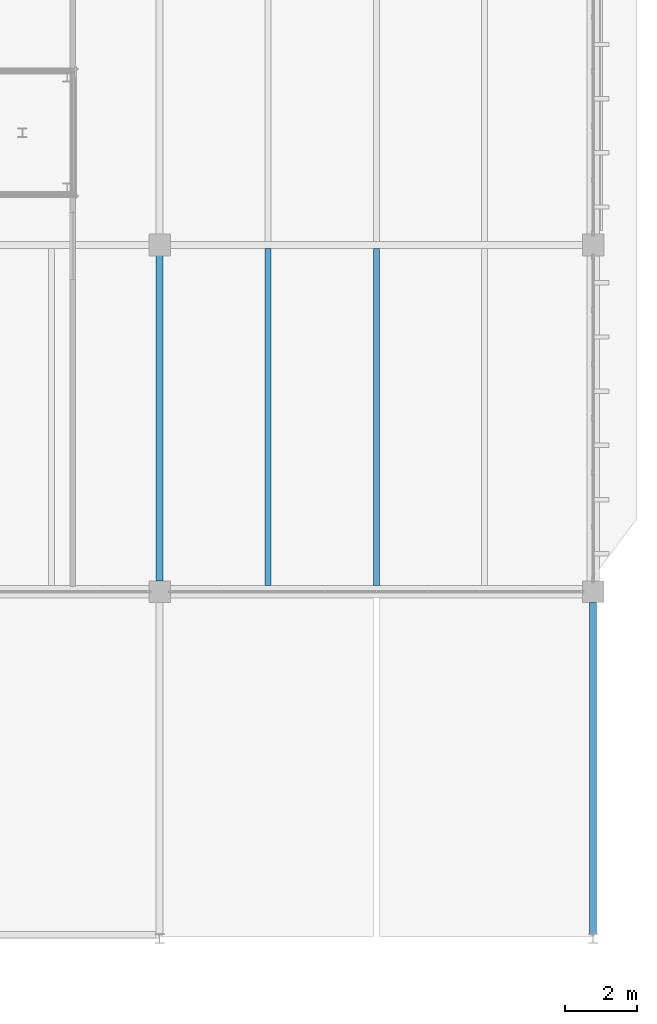
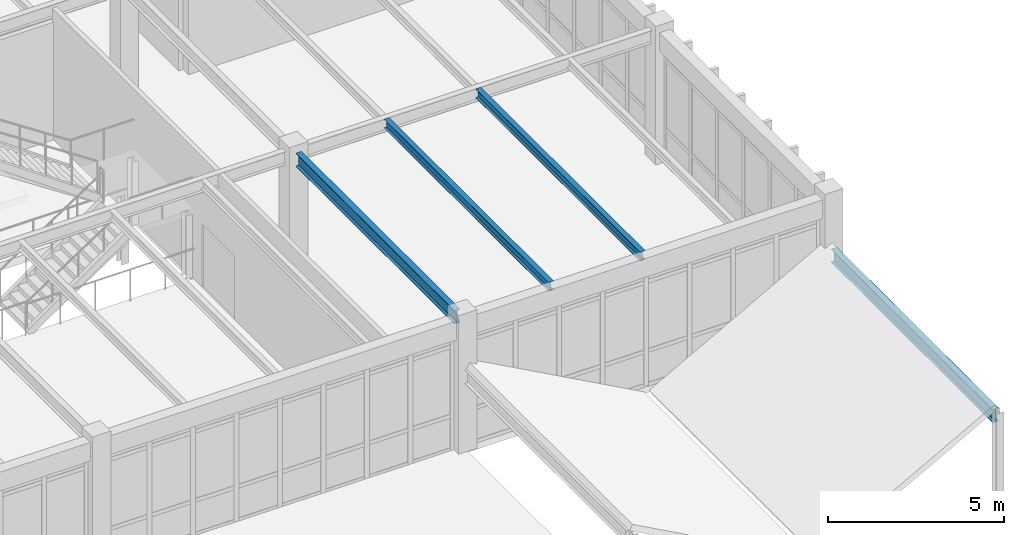
# One storey, part 123 of 236: 4 beams.
"""IFC4 building model written with IfcOpenShell, lengths in metres."""

from ifc_helpers import new_model, si_unit, direction, frame, origin, origin_2d, place, context, subcontext, project, spatial, i_section, extrude, material, material_profile, profile_set, type_object, element, save


model = new_model("IFC4")

# Units and contexts
model_context = context("Model", 3, precision=1e-05, world=origin(), true_north=direction((0.0, 1.0)))
body_context = subcontext(model_context, "Body", "Model", "MODEL_VIEW")
ifc_project = project(units=[si_unit("LENGTHUNIT", "METRE"), si_unit("AREAUNIT", "SQUARE_METRE"), si_unit("VOLUMEUNIT", "CUBIC_METRE"), si_unit("PLANEANGLEUNIT", "RADIAN"), si_unit("MASSUNIT", "GRAM", prefix="KILO")], contexts=[model_context])

# Site, building, storey
site_placement = place(None, origin())
site = spatial("IfcSite", under=ifc_project, at=site_placement, CompositionType="ELEMENT")
building_placement = place(site_placement, origin())
building = spatial("IfcBuilding", under=site, at=building_placement, Name="Pandanus Reach Market Hall", CompositionType="ELEMENT")
storey_placement = place(building_placement, frame((0.0, 0.0, 5.39990234375)))
storey = spatial("IfcBuildingStorey", under=building, at=storey_placement, Name="L01", CompositionType="ELEMENT", Elevation=5.39990234375)

# Beams
ifc_material = material(Name="Steel Grade 350 (350 MPa)", Category="steel")
ifc_material_profile_1 = material_profile(ifc_material, i_section(OverallWidth=0.18994140625, OverallDepth=0.45703125, WebThickness=0.009033203125, FlangeThickness=0.014404296875, at=origin_2d()), Name="460UB74.6", Category="LoadBearing")
ifc_profile_set_1 = profile_set([ifc_material_profile_1], Name="Steel Grade 350 (350 MPa)")
beam_type_1 = type_object("IfcBeamType", Name="BM-UB460-E", PredefinedType="BEAM", material=ifc_profile_set_1)
beam_1_placement = place(storey_placement, frame((180.0, 0.123046875, 2.610107421875), z_axis=(0.0, 1.0, 0.0), x_axis=(-1.0, 0.0, 0.0)))
element("IfcBeam", 1, at=beam_1_placement, inside=storey, type_object=beam_type_1, Name="Butterfly shell ridge tie beam L01.18", PredefinedType="BEAM", context=body_context, shape_type="SweptSolid", body=[
    extrude(i_section(OverallWidth=0.18994140625, OverallDepth=0.45703125, WebThickness=0.009033203125, FlangeThickness=0.014404296875, at=origin_2d()), origin(), (0.0, 0.0, 1.0), 9.180908203125),
])
ifc_material_profile_2 = material_profile(ifc_material, i_section(OverallWidth=0.18994140625, OverallDepth=0.45703125, WebThickness=0.009033203125, FlangeThickness=0.014404296875, at=origin_2d()), Name="460UB74.6", Category="LoadBearing")
ifc_profile_set_2 = profile_set([ifc_material_profile_2], Name="Steel Grade 350 (350 MPa)")
beam_type_2 = type_object("IfcBeamType", Name="BM-UB460-I", PredefinedType="BEAM", material=ifc_profile_set_2)
beam_2_placement = place(storey_placement, frame((168.0, 9.89794921875, 4.311279296875), z_axis=(0.0, 1.0, 0.0), x_axis=(-1.0, 0.0, 0.0)))
element("IfcBeam", 2, at=beam_2_placement, inside=storey, type_object=beam_type_2, Name="Framing beam BM-UB460-I L01.354", PredefinedType="BEAM", context=body_context, shape_type="SweptSolid", body=[
    extrude(i_section(OverallWidth=0.18994140625, OverallDepth=0.45703125, WebThickness=0.009033203125, FlangeThickness=0.014404296875, at=origin_2d()), origin(), (0.0, 0.0, 1.0), 9.004150390625),
])
ifc_material_profile_3 = material_profile(ifc_material, i_section(OverallWidth=0.166015625, OverallDepth=0.306884765625, WebThickness=0.006591796875, FlangeThickness=0.01171875, at=origin_2d()), Name="310UB46.2", Category="LoadBearing")
ifc_profile_set_3 = profile_set([ifc_material_profile_3], Name="Steel Grade 350 (350 MPa)")
beam_type_3 = type_object("IfcBeamType", Name="JS-UB310H-I", PredefinedType="JOIST", material=ifc_profile_set_3)
for number, where, z_axis, x_axis, name in (
    (3, (171.0, 9.77294921875, 4.38623046875), (0.0, 1.0, 0.0), (-1.0, 0.0, 0.0), "Secondary joist JS-UB310H-I L01.416"),
    (4, (174.0, 9.77294921875, 4.38623046875), (0.0, 1.0, 0.0), (-1.0, 0.0, 0.0), "Secondary joist JS-UB310H-I L01.417"),
):
    element("IfcBeam", number, at=place(storey_placement, frame(where, z_axis=z_axis, x_axis=x_axis)), inside=storey, type_object=beam_type_3, Name=name, PredefinedType="JOIST", context=body_context, shape_type="SweptSolid", body=[
        extrude(i_section(OverallWidth=0.166015625, OverallDepth=0.306884765625, WebThickness=0.006591796875, FlangeThickness=0.01171875, at=origin_2d()), origin(), (0.0, 0.0, 1.0), 9.333984375),
    ])

save(model, "model.ifc")
